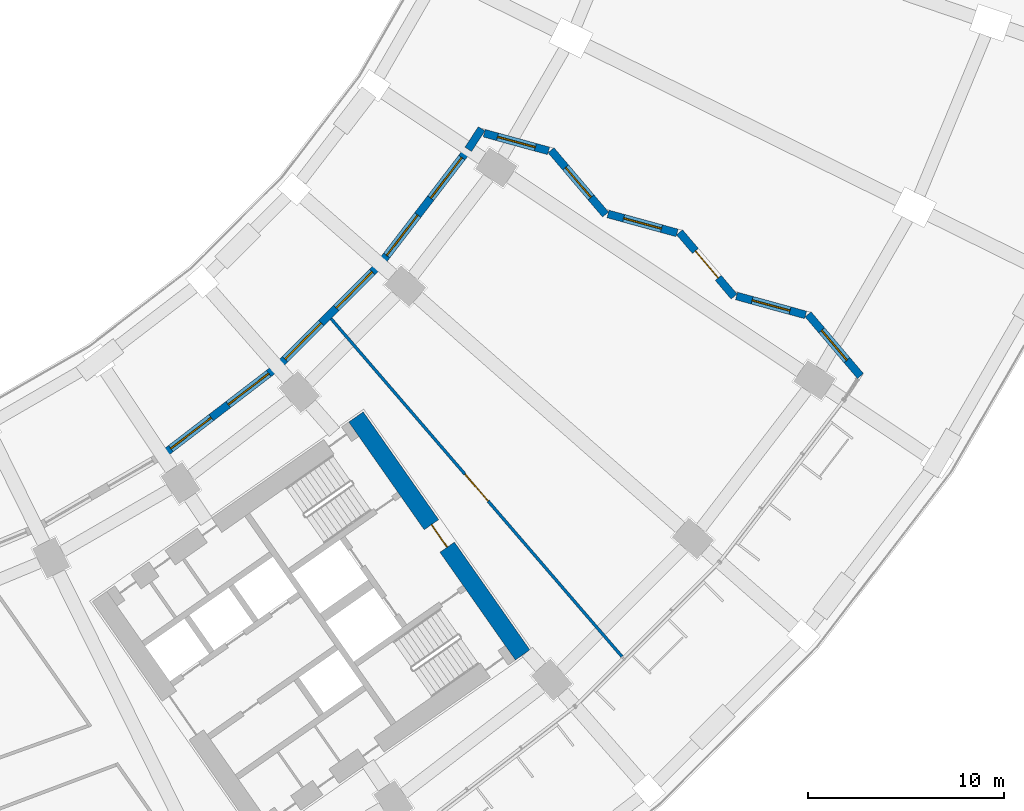
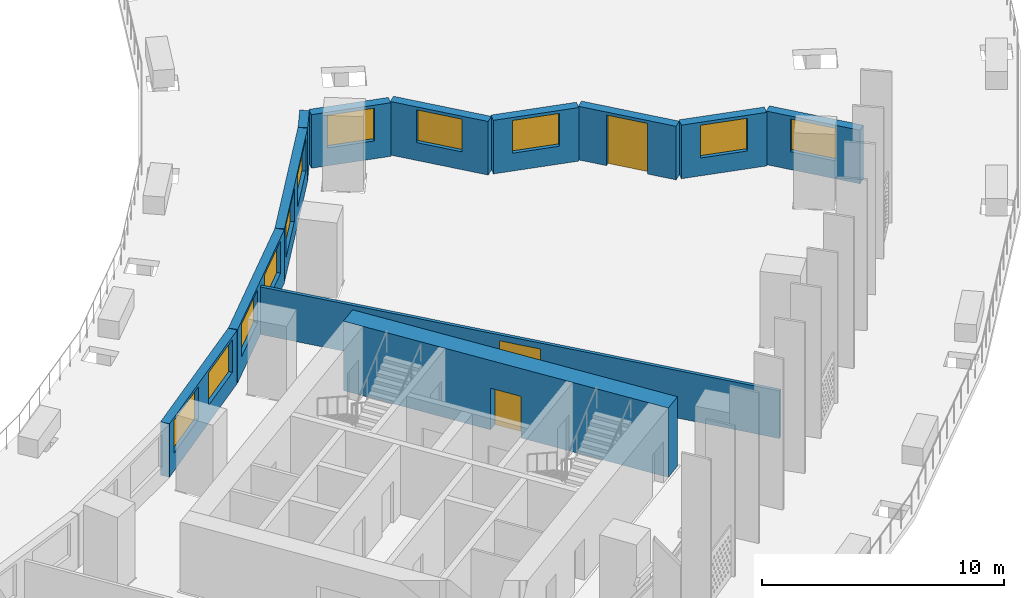
# One storey, part 8 of 35: 12 walls, 11 windows, 3 doors, 14 openings.
"""IFC4 building model written with IfcOpenShell, lengths in metres."""

from ifc_helpers import new_model, si_unit, direction, frame, frame_2d, origin, place, context, subcontext, project, spatial, rectangle, extrude, material, layer, layer_set, type_object, element, fill, save


model = new_model("IFC4")

# Units and contexts
model_context = context("Model", 3, precision=1e-05, world=origin(), true_north=direction((0.0, 1.0)))
body_context = subcontext(model_context, "Body", "Model", "MODEL_VIEW")
ifc_project = project(units=[si_unit("LENGTHUNIT", "METRE"), si_unit("AREAUNIT", "SQUARE_METRE"), si_unit("VOLUMEUNIT", "CUBIC_METRE"), si_unit("PLANEANGLEUNIT", "RADIAN"), si_unit("MASSUNIT", "GRAM", prefix="KILO")], contexts=[model_context])

# Site, building, storey
site_placement = place(None, origin())
site = spatial("IfcSite", under=ifc_project, at=site_placement, CompositionType="ELEMENT")
building_placement = place(site_placement, origin())
building = spatial("IfcBuilding", under=site, at=building_placement, Name="Qamariyya Broadcast Tower", CompositionType="ELEMENT")
storey_placement = place(building_placement, frame((0.0, 0.0, 40.5)))
storey = spatial("IfcBuildingStorey", under=building, at=storey_placement, Name="L06", CompositionType="ELEMENT", Elevation=40.5)

# Wall, opening, door
ifc_material_1 = material(Name="Concrete C70/85", Category="concrete")
ifc_layer_1 = layer(ifc_material_1, 0.89990234375)
ifc_layer_set_1 = layer_set([ifc_layer_1], Name="Core wall 900 mm Concrete C70/85")
wall_type_1 = type_object("IfcWallType", Name="Core wall 900 mm Concrete C70/85", PredefinedType="SHEAR", material=ifc_layer_set_1)
wall_1_placement = place(storey_placement, frame((49.778564453125, -57.191162109375, 0.0), z_axis=(0.0, 0.0, 1.0), x_axis=(-0.573577477574, 0.819151315216, 0.0)))
wall_1 = element("IfcWall", 1, at=wall_1_placement, inside=storey, type_object=wall_type_1, Name="k-E-L06-WH", PredefinedType="SHEAR", context=body_context, shape_type="SweptSolid", body=[
    extrude(rectangle(XDim=14.800048828125, YDim=0.89990234375, at=frame_2d((7.39990234375, 0.0))), origin(), (0.0, 0.0, 1.0), 3.5),
])
opening_1_placement = place(wall_1_placement, frame((6.699951171875, 0.0, 0.0)))
opening_1 = element("IfcOpeningElement", 2, at=opening_1_placement, cuts=wall_1, Name="Opening KD2-E1", PredefinedType="OPENING", context=body_context, shape_type="SweptSolid", body=[
    extrude(rectangle(XDim=1.39990234375, YDim=2.10009765625, at=frame_2d((0.699951171875, 1.050048828125))), frame((0.0, 0.4599609375, 0.0), z_axis=(0.0, -1.0, 0.0), x_axis=(1.0, 0.0, 0.0)), (0.0, 0.0, 1.0), 0.919921875),
])
ifc_material_2 = material(Name="Steel fire-resisting door leaf", Category="steel")
door_type_1 = type_object("IfcDoorType", Name="Fire-fighting lobby door KD2", OperationType="DOUBLE_DOOR_SINGLE_SWING", PredefinedType="DOOR", material=ifc_material_2)
door_1_placement = place(opening_1_placement, origin())
door_1 = element("IfcDoor", 3, at=door_1_placement, inside=storey, type_object=door_type_1, Name="k-E-L06-WH-D14", OperationType="DOUBLE_DOOR_SINGLE_SWING", OverallHeight=2.10009765625, OverallWidth=1.39990234375, PredefinedType="DOOR", context=body_context, shape_type="SweptSolid", body=[
    extrude(rectangle(XDim=1.39990234375, YDim=2.10009765625, at=frame_2d((0.699951171875, 1.050048828125))), frame((0.0, 0.02490234375, 0.0), z_axis=(0.0, -1.0, 0.0), x_axis=(1.0, 0.0, 0.0)), (0.0, 0.0, 1.0), 0.050048828125),
])
fill(opening_1, door_1)

ifc_material_3 = material(Name="Gypsum board partition")
ifc_layer_2 = layer(ifc_material_3, 0.14990234375)
ifc_layer_set_2 = layer_set([ifc_layer_2], Name="Corridor partition 150 EI 60")
wall_type_2 = type_object("IfcWallType", Name="Corridor partition 150 EI 60", PredefinedType="PARTITIONING", material=ifc_layer_set_2)
wall_2_placement = place(storey_placement, frame((40.021240234375, -40.063232421875, 0.0), z_axis=(0.0, 0.0, 1.0), x_axis=(0.652471531746, -0.757813235739, 0.0)))
wall_2 = element("IfcWall", 4, at=wall_2_placement, inside=storey, type_object=wall_type_2, Name="Partition L06-026", PredefinedType="PARTITIONING", context=body_context, shape_type="SweptSolid", body=[
    extrude(rectangle(XDim=22.71484375, YDim=0.14990234375, at=frame_2d((11.357421875, 0.0))), origin(), (0.0, 0.0, 1.0), 2.39990234375),
])
opening_2_placement = place(wall_2_placement, frame((10.45751953125, 0.0, 0.0)))
opening_2 = element("IfcOpeningElement", 5, at=opening_2_placement, cuts=wall_2, Name="Opening L06-D12", PredefinedType="OPENING", context=body_context, shape_type="SweptSolid", body=[
    extrude(rectangle(XDim=1.800048828125, YDim=2.10009765625, at=frame_2d((0.89990234375, 1.050048828125))), frame((0.0, 0.0849609375, 0.0), z_axis=(0.0, -1.0, 0.0), x_axis=(1.0, 0.0, 0.0)), (0.0, 0.0, 1.0), 0.169921875),
])
ifc_material_4 = material(Name="Timber fire door leaf", Category="wood")
door_type_2 = type_object("IfcDoorType", Name="Double fire door 1800 x 2100 FD60", OperationType="NOTDEFINED", PredefinedType="DOOR", material=ifc_material_4)
door_2_placement = place(opening_2_placement, origin())
door_2 = element("IfcDoor", 6, at=door_2_placement, inside=storey, type_object=door_type_2, Name="Door L06-D12", OperationType="DOUBLE_DOOR_SINGLE_SWING", OverallHeight=2.10009765625, OverallWidth=1.800048828125, PredefinedType="DOOR", context=body_context, shape_type="SweptSolid", body=[
    extrude(rectangle(XDim=1.800048828125, YDim=2.10009765625, at=frame_2d((0.89990234375, 1.050048828125))), frame((0.0, 0.02490234375, 0.0), z_axis=(0.0, -1.0, 0.0), x_axis=(1.0, 0.0, 0.0)), (0.0, 0.0, 1.0), 0.050048828125),
])
fill(opening_2, door_2)

# Wall, opening, window
ifc_material_5 = material(Name="Terracotta", Category="masonry")
ifc_layer_3 = layer(ifc_material_5, 0.39990234375)
ifc_layer_set_3 = layer_set([ifc_layer_3], Name="Terracotta clad wall 400")
wall_type_3 = type_object("IfcWallType", Name="Terracotta clad wall 400", PredefinedType="SOLIDWALL", material=ifc_layer_set_3)
wall_3_placement = place(storey_placement, frame((66.986328125, -42.98388671875, 0.0), z_axis=(0.0, 0.0, 1.0), x_axis=(-0.647056758803, 0.762441834429, 0.0)))
wall_3 = element("IfcWall", 7, at=wall_3_placement, inside=storey, type_object=wall_type_3, Name="e-wl-L06-capE0", PredefinedType="SOLIDWALL", context=body_context, shape_type="SweptSolid", body=[
    extrude(rectangle(XDim=4.121826171875, YDim=0.39990234375, at=frame_2d((2.06103515625, 0.0))), origin(), (0.0, 0.0, 1.0), 2.699951171875),
])
opening_3_placement = place(wall_3_placement, frame((1.060791015625, 0.0, 0.89990234375)))
opening_3 = element("IfcOpeningElement", 8, at=opening_3_placement, cuts=wall_3, Name="Opening W2", PredefinedType="OPENING", context=body_context, shape_type="SweptSolid", body=[
    extrude(rectangle(XDim=2.0, YDim=1.64990234375, at=frame_2d((1.0, 0.824951171875))), frame((0.0, 0.2099609375, 0.0), z_axis=(0.0, -1.0, 0.0), x_axis=(1.0, 0.0, 0.0)), (0.0, 0.0, 1.0), 0.419921875),
])
ifc_material_6 = material(Name="Clear low-e double glazed unit in aluminium frame", Category="aluminium")
window_type_1 = type_object("IfcWindowType", Name="Facade window 2000 x 1650", PartitioningType="SINGLE_PANEL", PredefinedType="WINDOW", material=ifc_material_6)
window_1_placement = place(opening_3_placement, origin())
window_1 = element("IfcWindow", 9, at=window_1_placement, inside=storey, type_object=window_type_1, Name="e-w-L06-capE0", OverallHeight=1.64990234375, OverallWidth=2.0, PartitioningType="SINGLE_PANEL", PredefinedType="WINDOW", context=body_context, shape_type="SweptSolid", body=[
    extrude(rectangle(XDim=2.0, YDim=1.64990234375, at=frame_2d((1.0, 0.824951171875))), frame((0.0, 0.030029296875, 0.0), z_axis=(0.0, -1.0, 0.0), x_axis=(1.0, 0.0, 0.0)), (0.0, 0.0, 1.0), 0.06005859375),
])
fill(opening_3, window_1)

wall_4_placement = place(storey_placement, frame((64.1943359375, -39.871337890625, 0.0), z_axis=(0.0, 0.0, 1.0), x_axis=(-0.964369003388, 0.264560815888, 0.0)))
wall_4 = element("IfcWall", 10, at=wall_4_placement, inside=storey, type_object=wall_type_3, Name="e-wl-L06-capE1", PredefinedType="SOLIDWALL", context=body_context, shape_type="SweptSolid", body=[
    extrude(rectangle(XDim=3.64892578125, YDim=0.39990234375, at=frame_2d((1.824462890625, 0.0))), origin(), (0.0, 0.0, 1.0), 2.699951171875),
])
opening_4_placement = place(wall_4_placement, frame((0.824462890625, 0.0, 0.89990234375)))
opening_4 = element("IfcOpeningElement", 11, at=opening_4_placement, cuts=wall_4, Name="Opening W2", PredefinedType="OPENING", context=body_context, shape_type="SweptSolid", body=[
    extrude(rectangle(XDim=2.0, YDim=1.64990234375, at=frame_2d((1.0, 0.824951171875))), frame((0.0, 0.2099609375, 0.0), z_axis=(0.0, -1.0, 0.0), x_axis=(1.0, 0.0, 0.0)), (0.0, 0.0, 1.0), 0.419921875),
])
window_2_placement = place(opening_4_placement, origin())
window_2 = element("IfcWindow", 12, at=window_2_placement, inside=storey, type_object=window_type_1, Name="e-w-L06-capE1", OverallHeight=1.64990234375, OverallWidth=2.0, PartitioningType="SINGLE_PANEL", PredefinedType="WINDOW", context=body_context, shape_type="SweptSolid", body=[
    extrude(rectangle(XDim=2.0, YDim=1.64990234375, at=frame_2d((1.0, 0.824951171875))), frame((0.0, 0.030029296875, 0.0), z_axis=(0.0, -1.0, 0.0), x_axis=(1.0, 0.0, 0.0)), (0.0, 0.0, 1.0), 0.06005859375),
])
fill(opening_4, window_2)

# Wall, opening, door
wall_5_placement = place(storey_placement, frame((60.55078125, -38.936279296875, 0.0), z_axis=(0.0, 0.0, 1.0), x_axis=(-0.647080603153, 0.762421597952, 0.0)))
wall_5 = element("IfcWall", 13, at=wall_5_placement, inside=storey, type_object=wall_type_3, Name="e-wl-L06-capE2", PredefinedType="SOLIDWALL", context=body_context, shape_type="SweptSolid", body=[
    extrude(rectangle(XDim=4.294677734375, YDim=0.39990234375, at=frame_2d((2.1474609375, 0.0))), origin(), (0.0, 0.0, 1.0), 2.699951171875),
])
opening_5_placement = place(wall_5_placement, frame((1.247314453125, 0.0, 0.0)))
opening_5 = element("IfcOpeningElement", 14, at=opening_5_placement, cuts=wall_5, Name="Opening ED5", PredefinedType="OPENING", context=body_context, shape_type="SweptSolid", body=[
    extrude(rectangle(XDim=1.800048828125, YDim=2.550048828125, at=frame_2d((0.89990234375, 1.27490234375))), frame((0.0, 0.2099609375, 0.0), z_axis=(0.0, -1.0, 0.0), x_axis=(1.0, 0.0, 0.0)), (0.0, 0.0, 1.0), 0.419921875),
])
ifc_material_7 = material(Name="Toughened glass in stainless steel frame", Category="steel")
door_type_3 = type_object("IfcDoorType", Name="Terrace door 1800 x 2550", OperationType="DOUBLE_DOOR_DOUBLE_SWING", PredefinedType="DOOR", material=ifc_material_7)
door_3_placement = place(opening_5_placement, origin())
door_3 = element("IfcDoor", 15, at=door_3_placement, inside=storey, type_object=door_type_3, Name="e-ed-L06-terraceE", OperationType="DOUBLE_DOOR_DOUBLE_SWING", OverallHeight=2.550048828125, OverallWidth=1.800048828125, PredefinedType="DOOR", context=body_context, shape_type="SweptSolid", body=[
    extrude(rectangle(XDim=1.800048828125, YDim=2.550048828125, at=frame_2d((0.89990234375, 1.27490234375))), frame((0.0, 0.02490234375, 0.0), z_axis=(0.0, -1.0, 0.0), x_axis=(1.0, 0.0, 0.0)), (0.0, 0.0, 1.0), 0.050048828125),
])
fill(opening_5, door_3)

# Wall, opening, window
wall_6_placement = place(storey_placement, frame((57.646728515625, -35.69189453125, 0.0), z_axis=(0.0, 0.0, 1.0), x_axis=(-0.96440148639, 0.26444238134, 0.0)))
wall_6 = element("IfcWall", 16, at=wall_6_placement, inside=storey, type_object=wall_type_3, Name="e-wl-L06-capE3", PredefinedType="SOLIDWALL", context=body_context, shape_type="SweptSolid", body=[
    extrude(rectangle(XDim=3.647705078125, YDim=0.39990234375, at=frame_2d((1.82373046875, 0.0))), origin(), (0.0, 0.0, 1.0), 2.699951171875),
])
opening_6_placement = place(wall_6_placement, frame((0.82373046875, 0.0, 0.89990234375)))
opening_6 = element("IfcOpeningElement", 17, at=opening_6_placement, cuts=wall_6, Name="Opening W2", PredefinedType="OPENING", context=body_context, shape_type="SweptSolid", body=[
    extrude(rectangle(XDim=2.0, YDim=1.64990234375, at=frame_2d((1.0, 0.824951171875))), frame((0.0, 0.2099609375, 0.0), z_axis=(0.0, -1.0, 0.0), x_axis=(1.0, 0.0, 0.0)), (0.0, 0.0, 1.0), 0.419921875),
])
window_3_placement = place(opening_6_placement, origin())
window_3 = element("IfcWindow", 18, at=window_3_placement, inside=storey, type_object=window_type_1, Name="e-w-L06-capE3", OverallHeight=1.64990234375, OverallWidth=2.0, PartitioningType="SINGLE_PANEL", PredefinedType="WINDOW", context=body_context, shape_type="SweptSolid", body=[
    extrude(rectangle(XDim=2.0, YDim=1.64990234375, at=frame_2d((1.0, 0.824951171875))), frame((0.0, 0.030029296875, 0.0), z_axis=(0.0, -1.0, 0.0), x_axis=(1.0, 0.0, 0.0)), (0.0, 0.0, 1.0), 0.06005859375),
])
fill(opening_6, window_3)

wall_7_placement = place(storey_placement, frame((54.004150390625, -34.75732421875, 0.0), z_axis=(0.0, 0.0, 1.0), x_axis=(-0.64718969681, 0.76232899482, 0.0)))
wall_7 = element("IfcWall", 19, at=wall_7_placement, inside=storey, type_object=wall_type_3, Name="e-wl-L06-capE4", PredefinedType="SOLIDWALL", context=body_context, shape_type="SweptSolid", body=[
    extrude(rectangle(XDim=4.2958984375, YDim=0.39990234375, at=frame_2d((2.14794921875, 0.0))), origin(), (0.0, 0.0, 1.0), 2.699951171875),
])
opening_7_placement = place(wall_7_placement, frame((1.14794921875, 0.0, 0.89990234375)))
opening_7 = element("IfcOpeningElement", 20, at=opening_7_placement, cuts=wall_7, Name="Opening W2", PredefinedType="OPENING", context=body_context, shape_type="SweptSolid", body=[
    extrude(rectangle(XDim=2.0, YDim=1.64990234375, at=frame_2d((1.0, 0.824951171875))), frame((0.0, 0.2099609375, 0.0), z_axis=(0.0, -1.0, 0.0), x_axis=(1.0, 0.0, 0.0)), (0.0, 0.0, 1.0), 0.419921875),
])
window_4_placement = place(opening_7_placement, origin())
window_4 = element("IfcWindow", 21, at=window_4_placement, inside=storey, type_object=window_type_1, Name="e-w-L06-capE4", OverallHeight=1.64990234375, OverallWidth=2.0, PartitioningType="SINGLE_PANEL", PredefinedType="WINDOW", context=body_context, shape_type="SweptSolid", body=[
    extrude(rectangle(XDim=2.0, YDim=1.64990234375, at=frame_2d((1.0, 0.824951171875))), frame((0.0, 0.030029296875, 0.0), z_axis=(0.0, -1.0, 0.0), x_axis=(1.0, 0.0, 0.0)), (0.0, 0.0, 1.0), 0.06005859375),
])
fill(opening_7, window_4)

wall_8_placement = place(storey_placement, frame((51.098876953125, -31.5126953125, 0.0), z_axis=(0.0, 0.0, 1.0), x_axis=(-0.964419349493, 0.264377227315, 0.0)))
wall_8 = element("IfcWall", 22, at=wall_8_placement, inside=storey, type_object=wall_type_3, Name="e-wl-L06-capE5", PredefinedType="SOLIDWALL", context=body_context, shape_type="SweptSolid", body=[
    extrude(rectangle(XDim=3.393798828125, YDim=0.39990234375, at=frame_2d((1.69677734375, 0.0))), origin(), (0.0, 0.0, 1.0), 2.699951171875),
])
opening_8_placement = place(wall_8_placement, frame((0.697021484375, 0.0, 0.89990234375)))
opening_8 = element("IfcOpeningElement", 23, at=opening_8_placement, cuts=wall_8, Name="Opening W2", PredefinedType="OPENING", context=body_context, shape_type="SweptSolid", body=[
    extrude(rectangle(XDim=2.0, YDim=1.64990234375, at=frame_2d((1.0, 0.824951171875))), frame((0.0, 0.2099609375, 0.0), z_axis=(0.0, -1.0, 0.0), x_axis=(1.0, 0.0, 0.0)), (0.0, 0.0, 1.0), 0.419921875),
])
window_5_placement = place(opening_8_placement, origin())
window_5 = element("IfcWindow", 24, at=window_5_placement, inside=storey, type_object=window_type_1, Name="e-w-L06-capE5", OverallHeight=1.64990234375, OverallWidth=2.0, PartitioningType="SINGLE_PANEL", PredefinedType="WINDOW", context=body_context, shape_type="SweptSolid", body=[
    extrude(rectangle(XDim=2.0, YDim=1.64990234375, at=frame_2d((1.0, 0.824951171875))), frame((0.0, 0.030029296875, 0.0), z_axis=(0.0, -1.0, 0.0), x_axis=(1.0, 0.0, 0.0)), (0.0, 0.0, 1.0), 0.06005859375),
])
fill(opening_8, window_5)

# Wall, openings, windows
wall_9_placement = place(storey_placement, frame((37.24609375, -42.5478515625, 0.0), z_axis=(0.0, 0.0, 1.0), x_axis=(-0.79336607943, -0.60874482668, 0.0)))
wall_9 = element("IfcWall", 25, at=wall_9_placement, inside=storey, type_object=wall_type_3, Name="e-wl-L06-in130", PredefinedType="SOLIDWALL", context=body_context, shape_type="SweptSolid", body=[
    extrude(rectangle(XDim=7.295654296875, YDim=0.39990234375, at=frame_2d((3.64794921875, 0.0))), origin(), (0.0, 0.0, 1.0), 2.699951171875),
])
opening_9_placement = place(wall_9_placement, frame((4.190673828125, 0.0, 0.89990234375)))
opening_9 = element("IfcOpeningElement", 26, at=opening_9_placement, cuts=wall_9, Name="Opening W1", PredefinedType="OPENING", context=body_context, shape_type="SweptSolid", body=[
    extrude(rectangle(XDim=2.60009765625, YDim=1.64990234375, at=frame_2d((1.300048828125, 0.824951171875))), frame((0.0, 0.2099609375, 0.0), z_axis=(0.0, -1.0, 0.0), x_axis=(1.0, 0.0, 0.0)), (0.0, 0.0, 1.0), 0.419921875),
])
opening_10_placement = place(wall_9_placement, frame((0.505126953125, 0.0, 0.89990234375)))
opening_10 = element("IfcOpeningElement", 27, at=opening_10_placement, cuts=wall_9, Name="Opening W1", PredefinedType="OPENING", context=body_context, shape_type="SweptSolid", body=[
    extrude(rectangle(XDim=2.60009765625, YDim=1.64990234375, at=frame_2d((1.300048828125, 0.824951171875))), frame((0.0, 0.2099609375, 0.0), z_axis=(0.0, -1.0, 0.0), x_axis=(1.0, 0.0, 0.0)), (0.0, 0.0, 1.0), 0.419921875),
])
window_type_2 = type_object("IfcWindowType", Name="Ribbon window 2600 x 1650", PartitioningType="SINGLE_PANEL", PredefinedType="WINDOW", material=ifc_material_6)
window_6_placement = place(opening_9_placement, origin())
window_6 = element("IfcWindow", 28, at=window_6_placement, inside=storey, type_object=window_type_2, Name="e-w-L06-in13-0", OverallHeight=1.64990234375, OverallWidth=2.60009765625, PartitioningType="SINGLE_PANEL", PredefinedType="WINDOW", context=body_context, shape_type="SweptSolid", body=[
    extrude(rectangle(XDim=2.60009765625, YDim=1.64990234375, at=frame_2d((1.300048828125, 0.824951171875))), frame((0.0, 0.030029296875, 0.0), z_axis=(0.0, -1.0, 0.0), x_axis=(1.0, 0.0, 0.0)), (0.0, 0.0, 1.0), 0.06005859375),
])
fill(opening_9, window_6)
window_7_placement = place(opening_10_placement, origin())
window_7 = element("IfcWindow", 29, at=window_7_placement, inside=storey, type_object=window_type_2, Name="e-w-L06-in13-1", OverallHeight=1.64990234375, OverallWidth=2.60009765625, PartitioningType="SINGLE_PANEL", PredefinedType="WINDOW", context=body_context, shape_type="SweptSolid", body=[
    extrude(rectangle(XDim=2.60009765625, YDim=1.64990234375, at=frame_2d((1.300048828125, 0.824951171875))), frame((0.0, 0.030029296875, 0.0), z_axis=(0.0, -1.0, 0.0), x_axis=(1.0, 0.0, 0.0)), (0.0, 0.0, 1.0), 0.06005859375),
])
fill(opening_10, window_7)

wall_10_placement = place(storey_placement, frame((42.534423828125, -37.2685546875, 0.0), z_axis=(0.0, 0.0, 1.0), x_axis=(-0.707106781187, -0.707106781187, 0.0)))
wall_10 = element("IfcWall", 30, at=wall_10_placement, inside=storey, type_object=wall_type_3, Name="e-wl-L06-in140", PredefinedType="SOLIDWALL", context=body_context, shape_type="SweptSolid", body=[
    extrude(rectangle(XDim=7.447021484375, YDim=0.39990234375, at=frame_2d((3.7236328125, 0.0))), origin(), (0.0, 0.0, 1.0), 2.699951171875),
])
opening_11_placement = place(wall_10_placement, frame((4.266357421875, 0.0, 0.89990234375)))
opening_11 = element("IfcOpeningElement", 31, at=opening_11_placement, cuts=wall_10, Name="Opening W1", PredefinedType="OPENING", context=body_context, shape_type="SweptSolid", body=[
    extrude(rectangle(XDim=2.60009765625, YDim=1.64990234375, at=frame_2d((1.300048828125, 0.824951171875))), frame((0.0, 0.2099609375, 0.0), z_axis=(0.0, -1.0, 0.0), x_axis=(1.0, 0.0, 0.0)), (0.0, 0.0, 1.0), 0.419921875),
])
opening_12_placement = place(wall_10_placement, frame((0.580810546875, 0.0, 0.89990234375)))
opening_12 = element("IfcOpeningElement", 32, at=opening_12_placement, cuts=wall_10, Name="Opening W1", PredefinedType="OPENING", context=body_context, shape_type="SweptSolid", body=[
    extrude(rectangle(XDim=2.60009765625, YDim=1.64990234375, at=frame_2d((1.300048828125, 0.824951171875))), frame((0.0, 0.2099609375, 0.0), z_axis=(0.0, -1.0, 0.0), x_axis=(1.0, 0.0, 0.0)), (0.0, 0.0, 1.0), 0.419921875),
])
window_8_placement = place(opening_11_placement, origin())
window_8 = element("IfcWindow", 33, at=window_8_placement, inside=storey, type_object=window_type_2, Name="e-w-L06-in14-0", OverallHeight=1.64990234375, OverallWidth=2.60009765625, PartitioningType="SINGLE_PANEL", PredefinedType="WINDOW", context=body_context, shape_type="SweptSolid", body=[
    extrude(rectangle(XDim=2.60009765625, YDim=1.64990234375, at=frame_2d((1.300048828125, 0.824951171875))), frame((0.0, 0.030029296875, 0.0), z_axis=(0.0, -1.0, 0.0), x_axis=(1.0, 0.0, 0.0)), (0.0, 0.0, 1.0), 0.06005859375),
])
fill(opening_11, window_8)
window_9_placement = place(opening_12_placement, origin())
window_9 = element("IfcWindow", 34, at=window_9_placement, inside=storey, type_object=window_type_2, Name="e-w-L06-in14-1", OverallHeight=1.64990234375, OverallWidth=2.60009765625, PartitioningType="SINGLE_PANEL", PredefinedType="WINDOW", context=body_context, shape_type="SweptSolid", body=[
    extrude(rectangle(XDim=2.60009765625, YDim=1.64990234375, at=frame_2d((1.300048828125, 0.824951171875))), frame((0.0, 0.030029296875, 0.0), z_axis=(0.0, -1.0, 0.0), x_axis=(1.0, 0.0, 0.0)), (0.0, 0.0, 1.0), 0.06005859375),
])
fill(opening_12, window_9)

wall_11_placement = place(storey_placement, frame((46.998291015625, -31.44580078125, 0.0), z_axis=(0.0, 0.0, 1.0), x_axis=(-0.608737161256, -0.793371961003, 0.0)))
wall_11 = element("IfcWall", 35, at=wall_11_placement, inside=storey, type_object=wall_type_3, Name="e-wl-L06-in150", PredefinedType="SOLIDWALL", context=body_context, shape_type="SweptSolid", body=[
    extrude(rectangle(XDim=7.31103515625, YDim=0.39990234375, at=frame_2d((3.655517578125, 0.0))), origin(), (0.0, 0.0, 1.0), 2.699951171875),
])
opening_13_placement = place(wall_11_placement, frame((4.205810546875, 0.0, 0.89990234375)))
opening_13 = element("IfcOpeningElement", 36, at=opening_13_placement, cuts=wall_11, Name="Opening W1", PredefinedType="OPENING", context=body_context, shape_type="SweptSolid", body=[
    extrude(rectangle(XDim=2.60009765625, YDim=1.64990234375, at=frame_2d((1.300048828125, 0.824951171875))), frame((0.0, 0.2099609375, 0.0), z_axis=(0.0, -1.0, 0.0), x_axis=(1.0, 0.0, 0.0)), (0.0, 0.0, 1.0), 0.419921875),
])
opening_14_placement = place(wall_11_placement, frame((0.520263671875, 0.0, 0.89990234375)))
opening_14 = element("IfcOpeningElement", 37, at=opening_14_placement, cuts=wall_11, Name="Opening W1", PredefinedType="OPENING", context=body_context, shape_type="SweptSolid", body=[
    extrude(rectangle(XDim=2.60009765625, YDim=1.64990234375, at=frame_2d((1.300048828125, 0.824951171875))), frame((0.0, 0.2099609375, 0.0), z_axis=(0.0, -1.0, 0.0), x_axis=(1.0, 0.0, 0.0)), (0.0, 0.0, 1.0), 0.419921875),
])
window_10_placement = place(opening_13_placement, origin())
window_10 = element("IfcWindow", 38, at=window_10_placement, inside=storey, type_object=window_type_2, Name="e-w-L06-in15-0", OverallHeight=1.64990234375, OverallWidth=2.60009765625, PartitioningType="SINGLE_PANEL", PredefinedType="WINDOW", context=body_context, shape_type="SweptSolid", body=[
    extrude(rectangle(XDim=2.60009765625, YDim=1.64990234375, at=frame_2d((1.300048828125, 0.824951171875))), frame((0.0, 0.030029296875, 0.0), z_axis=(0.0, -1.0, 0.0), x_axis=(1.0, 0.0, 0.0)), (0.0, 0.0, 1.0), 0.06005859375),
])
fill(opening_13, window_10)
window_11_placement = place(opening_14_placement, origin())
window_11 = element("IfcWindow", 39, at=window_11_placement, inside=storey, type_object=window_type_2, Name="e-w-L06-in15-1", OverallHeight=1.64990234375, OverallWidth=2.60009765625, PartitioningType="SINGLE_PANEL", PredefinedType="WINDOW", context=body_context, shape_type="SweptSolid", body=[
    extrude(rectangle(XDim=2.60009765625, YDim=1.64990234375, at=frame_2d((1.300048828125, 0.824951171875))), frame((0.0, 0.030029296875, 0.0), z_axis=(0.0, -1.0, 0.0), x_axis=(1.0, 0.0, 0.0)), (0.0, 0.0, 1.0), 0.06005859375),
])
fill(opening_14, window_11)

# Wall
wall_12_placement = place(storey_placement, frame((47.690185546875, -30.390625, 0.0), z_axis=(0.0, 0.0, 1.0), x_axis=(-0.546858928342, -0.837224768203, 0.0)))
element("IfcWall", 40, at=wall_12_placement, inside=storey, type_object=wall_type_3, Name="e-wl-L06-in160", PredefinedType="SOLIDWALL", context=body_context, shape_type="SweptSolid", body=[
    extrude(rectangle(XDim=1.246826171875, YDim=0.39990234375, at=frame_2d((0.62353515625, 0.0))), origin(), (0.0, 0.0, 1.0), 2.699951171875),
])

save(model, "model.ifc")
